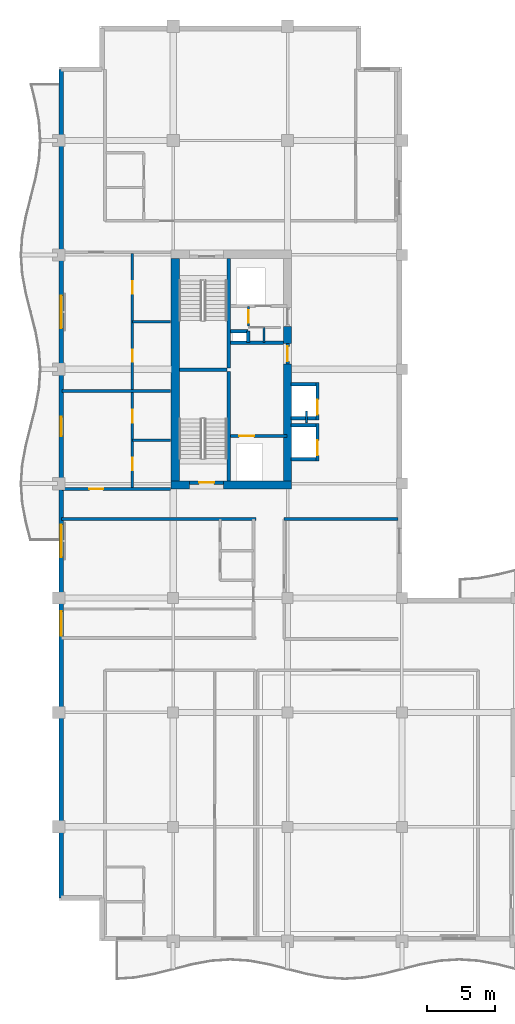
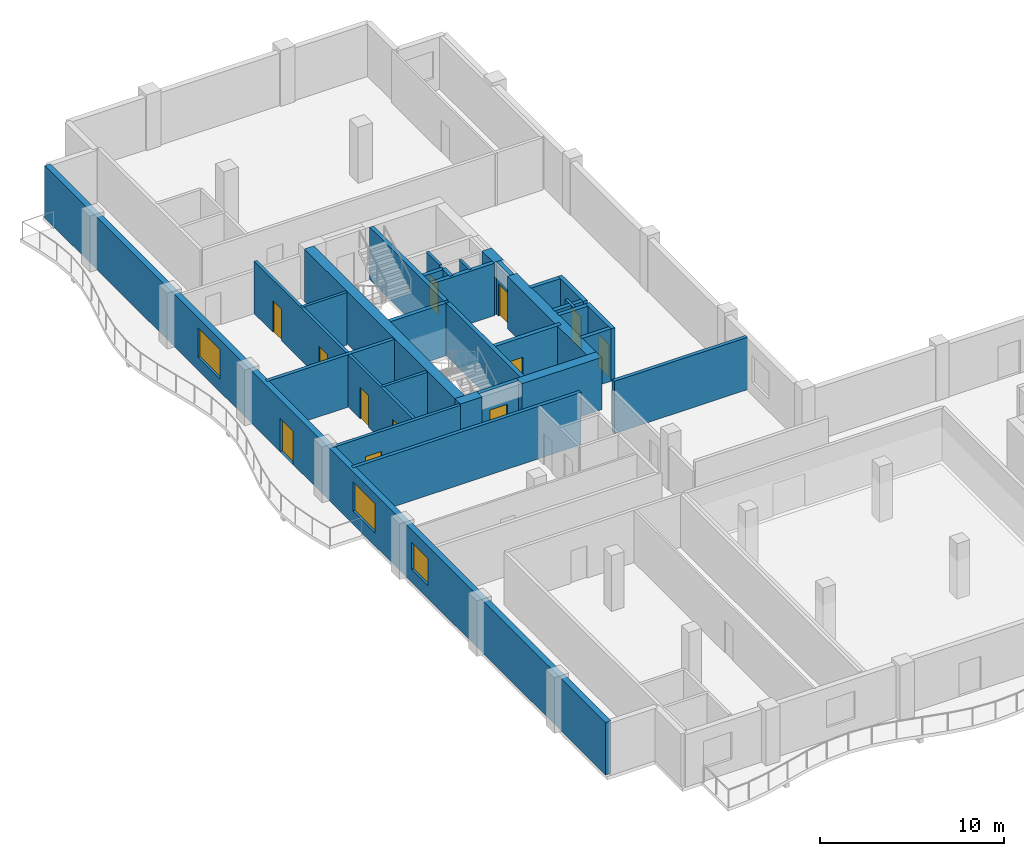
# One storey, part 9 of 16: 32 walls, 12 doors, 3 windows, 15 openings.
"""IFC4 building model written with IfcOpenShell, lengths in metres."""

from ifc_helpers import new_model, si_unit, direction, frame, frame_2d, origin, place, context, subcontext, project, spatial, rectangle, extrude, material, layer, layer_set, type_object, element, fill, save


model = new_model("IFC4")

# Units and contexts
model_context = context("Model", 3, precision=1e-05, world=origin(), true_north=direction((0.0, 1.0)))
body_context = subcontext(model_context, "Body", "Model", "MODEL_VIEW")
ifc_project = project(units=[si_unit("LENGTHUNIT", "METRE"), si_unit("AREAUNIT", "SQUARE_METRE"), si_unit("VOLUMEUNIT", "CUBIC_METRE"), si_unit("PLANEANGLEUNIT", "RADIAN"), si_unit("MASSUNIT", "GRAM", prefix="KILO")], contexts=[model_context])

# Site, building, storey
site_placement = place(None, origin())
site = spatial("IfcSite", under=ifc_project, at=site_placement, CompositionType="ELEMENT")
building_placement = place(site_placement, origin())
building = spatial("IfcBuilding", under=site, at=building_placement, Name="Koriwani Terraces Tower", CompositionType="ELEMENT")
storey_placement = place(building_placement, frame((0.0, 0.0, 274.89990234375)))
storey = spatial("IfcBuildingStorey", under=building, at=storey_placement, Name="L68", CompositionType="ELEMENT", Elevation=274.89990234375)

# Walls
ifc_material_1 = material(Name="Concrete C60/75", Category="concrete")
ifc_layer_1 = layer(ifc_material_1, 0.60009765625, Name="Concrete C60/75")
ifc_layer_set_1 = layer_set([ifc_layer_1], Name="Concrete C60/75")
wall_type_1 = type_object("IfcWallType", Name="WALL_CORE_RC_600", PredefinedType="SHEAR", material=ifc_layer_set_1)
wall_1_placement = place(storey_placement, frame((16.64990234375, 41.89990234375, 0.0), z_axis=(0.0, 0.0, 1.0), x_axis=(1.0, 0.0, 0.0)))
element("IfcWall", 1, at=wall_1_placement, inside=storey, type_object=wall_type_1, Name="L68 West Split Core Shear Wall S1", PredefinedType="SHEAR", context=body_context, shape_type="SweptSolid", body=[
    extrude(rectangle(XDim=1.35009765625, YDim=0.60009765625, at=frame_2d((0.675048828125, 0.0))), origin(), (0.0, 0.0, 1.0), 3.47021484375),
])
wall_2_placement = place(storey_placement, frame((20.5, 41.89990234375, 0.0), z_axis=(0.0, 0.0, 1.0), x_axis=(1.0, 0.0, 0.0)))
element("IfcWall", 2, at=wall_2_placement, inside=storey, type_object=wall_type_1, Name="L68 West Split Core Shear Wall S2", PredefinedType="SHEAR", context=body_context, shape_type="SweptSolid", body=[
    extrude(rectangle(XDim=5.0, YDim=0.60009765625, at=frame_2d((2.5, 0.0))), origin(), (0.0, 0.0, 1.0), 3.47021484375),
])
wall_3_placement = place(storey_placement, frame((16.949951171875, 42.199951171875, 0.0), z_axis=(0.0, 0.0, 1.0), x_axis=(0.0, 1.0, 0.0)))
element("IfcWall", 3, at=wall_3_placement, inside=storey, type_object=wall_type_1, Name="L68 West Split Core Shear Wall W1", PredefinedType="SHEAR", context=body_context, shape_type="SweptSolid", body=[
    extrude(rectangle(XDim=16.35009765625, YDim=0.60009765625, at=frame_2d((8.175048828125, 0.0))), origin(), (0.0, 0.0, 1.0), 3.47021484375),
])
wall_4_placement = place(storey_placement, frame((25.199951171875, 42.199951171875, 0.0), z_axis=(0.0, 0.0, 1.0), x_axis=(0.0, 1.0, 0.0)))
element("IfcWall", 4, at=wall_4_placement, inside=storey, type_object=wall_type_1, Name="L68 West Split Core Shear Wall E1", PredefinedType="SHEAR", context=body_context, shape_type="SweptSolid", body=[
    extrude(rectangle(XDim=8.60009765625, YDim=0.60009765625, at=frame_2d((4.300048828125, 0.0))), origin(), (0.0, 0.0, 1.0), 3.47021484375),
])
wall_5_placement = place(storey_placement, frame((25.199951171875, 52.280029296875, 0.0), z_axis=(0.0, 0.0, 1.0), x_axis=(0.0, 1.0, 0.0)))
element("IfcWall", 5, at=wall_5_placement, inside=storey, type_object=wall_type_1, Name="L68 West Split Core Shear Wall E2", PredefinedType="SHEAR", context=body_context, shape_type="SweptSolid", body=[
    extrude(rectangle(XDim=1.27001953125, YDim=0.60009765625, at=frame_2d((0.635009765625, 0.0))), origin(), (0.0, 0.0, 1.0), 3.47021484375),
])

# Wall, opening, door
ifc_material_2 = material(Name="Autoclaved Cellular Concrete Blockwork", Category="masonry")
ifc_layer_2 = layer(ifc_material_2, 0.199951171875, Name="Autoclaved Cellular Concrete Blockwork")
ifc_layer_set_2 = layer_set([ifc_layer_2], Name="Autoclaved Cellular Concrete Blockwork")
wall_type_2 = type_object("IfcWallType", Name="WALL_CORRIDOR_200", PredefinedType="PARTITIONING", material=ifc_layer_set_2)
wall_6_placement = place(storey_placement, frame((8.64990234375, 41.60009765625, 0.0), z_axis=(0.0, 0.0, 1.0), x_axis=(1.0, 0.0, 0.0)))
wall_6 = element("IfcWall", 6, at=wall_6_placement, inside=storey, type_object=wall_type_2, Name="L68 Interior Wall WRZ4-WS-L68", PredefinedType="PARTITIONING", context=body_context, shape_type="SweptSolid", body=[
    extrude(rectangle(XDim=7.9501953125, YDim=0.199951171875, at=frame_2d((3.97509765625, 0.0))), origin(), (0.0, 0.0, 1.0), 3.47021484375),
])
opening_1_placement = place(wall_6_placement, frame((2.0, 0.0, 0.0)))
opening_1 = element("IfcOpeningElement", 7, at=opening_1_placement, cuts=wall_6, Name="Opening D-05", PredefinedType="OPENING", context=body_context, shape_type="SweptSolid", body=[
    extrude(rectangle(XDim=1.0, YDim=2.14990234375, at=frame_2d((0.5, 1.074951171875))), frame((0.0, 0.10986328125, 0.0), z_axis=(0.0, -1.0, 0.0), x_axis=(1.0, 0.0, 0.0)), (0.0, 0.0, 1.0), 0.219970703125),
])
ifc_material_3 = material(Name="Architectural Oak Fire Door", Category="wood")
door_type_1 = type_object("IfcDoorType", Name="DOOR_SUITE_ENTRY_1000X2150", OperationType="NOTDEFINED", PredefinedType="DOOR", material=ifc_material_3)
door_1_placement = place(opening_1_placement, origin())
door_1 = element("IfcDoor", 8, at=door_1_placement, inside=storey, type_object=door_type_1, Name="Apartment 68RW1 Entrance Door", OperationType="SINGLE_SWING_LEFT", OverallHeight=2.14990234375, OverallWidth=1.0, PredefinedType="DOOR", context=body_context, shape_type="SweptSolid", body=[
    extrude(rectangle(XDim=1.0, YDim=2.14990234375, at=frame_2d((0.5, 1.074951171875))), frame((0.0, 0.02490234375, 0.0), z_axis=(0.0, -1.0, 0.0), x_axis=(1.0, 0.0, 0.0)), (0.0, 0.0, 1.0), 0.050048828125),
])
fill(opening_1, door_1)

# Walls
ifc_layer_3 = layer(ifc_material_2, 0.219970703125, Name="Autoclaved Cellular Concrete Blockwork")
ifc_layer_set_3 = layer_set([ifc_layer_3], Name="Autoclaved Cellular Concrete Blockwork")
wall_type_3 = type_object("IfcWallType", Name="WALL_DEMISING_220", PredefinedType="PARTITIONING", material=ifc_layer_set_3)
wall_7_placement = place(storey_placement, frame((24.949951171875, 39.39990234375, 0.0), z_axis=(0.0, 0.0, 1.0), x_axis=(1.0, 0.0, 0.0)))
element("IfcWall", 9, at=wall_7_placement, inside=storey, type_object=wall_type_3, Name="L68 Interior Wall WIC4WN-L68", PredefinedType="PARTITIONING", context=body_context, shape_type="SweptSolid", body=[
    extrude(rectangle(XDim=8.35009765625, YDim=0.219970703125, at=frame_2d((4.175048828125, 0.0))), origin(), (0.0, 0.0, 1.0), 3.47021484375),
])
wall_8_placement = place(storey_placement, frame((8.64990234375, 48.800048828125, 0.0), z_axis=(0.0, 0.0, 1.0), x_axis=(1.0, 0.0, 0.0)))
element("IfcWall", 10, at=wall_8_placement, inside=storey, type_object=wall_type_3, Name="L68 Interior Wall WRZ4-WM-L68", PredefinedType="PARTITIONING", context=body_context, shape_type="SweptSolid", body=[
    extrude(rectangle(XDim=7.9501953125, YDim=0.219970703125, at=frame_2d((3.97509765625, 0.0))), origin(), (0.0, 0.0, 1.0), 3.47021484375),
])
wall_9_placement = place(storey_placement, frame((8.60009765625, 39.39990234375, 0.0), z_axis=(0.0, 0.0, 1.0), x_axis=(1.0, 0.0, 0.0)))
element("IfcWall", 11, at=wall_9_placement, inside=storey, type_object=wall_type_3, Name="L68 Interior Wall WRDEME-L68-NE", PredefinedType="PARTITIONING", context=body_context, shape_type="SweptSolid", body=[
    extrude(rectangle(XDim=14.27978515625, YDim=0.219970703125, at=frame_2d((7.139892578125, 0.0))), origin(), (0.0, 0.0, 1.0), 3.47021484375),
])

# Wall, openings, door, windows
ifc_material_4 = material(Name="Concrete C50/60", Category="concrete")
ifc_layer_4 = layer(ifc_material_4, 0.35009765625, Name="Concrete C50/60")
ifc_layer_set_4 = layer_set([ifc_layer_4], Name="Concrete C50/60")
wall_type_4 = type_object("IfcWallType", Name="WALL_EXT_BRUTALIST_350", PredefinedType="STANDARD", material=ifc_layer_set_4)
wall_10_placement = place(storey_placement, frame((8.574951171875, 11.574951171875, 0.0), z_axis=(0.0, 0.0, 1.0), x_axis=(0.0, 1.0, 0.0)))
wall_10 = element("IfcWall", 12, at=wall_10_placement, inside=storey, type_object=wall_type_4, Name="L68 Fair-Faced Brutalist Exterior Wall (W)", PredefinedType="STANDARD", context=body_context, shape_type="SweptSolid", body=[
    extrude(rectangle(XDim=60.85009765625, YDim=0.35009765625, at=frame_2d((30.425048828125, 0.0))), origin(), (0.0, 0.0, 1.0), 3.47021484375),
])
opening_2_placement = place(wall_10_placement, frame((33.925048828125, 0.0, 0.0)))
opening_2 = element("IfcOpeningElement", 13, at=opening_2_placement, cuts=wall_10, Name="Opening D-09", PredefinedType="OPENING", context=body_context, shape_type="SweptSolid", body=[
    extrude(rectangle(XDim=1.39990234375, YDim=2.199951171875, at=frame_2d((0.699951171875, 1.10009765625))), frame((0.0, 0.18505859375, 0.0), z_axis=(0.0, -1.0, 0.0), x_axis=(1.0, 0.0, 0.0)), (0.0, 0.0, 1.0), 0.3701171875),
])
opening_3_placement = place(wall_10_placement, frame((25.02490234375, 0.0, 0.85009765625)))
opening_3 = element("IfcOpeningElement", 14, at=opening_3_placement, cuts=wall_10, Name="Opening W-03", PredefinedType="OPENING", context=body_context, shape_type="SweptSolid", body=[
    extrude(rectangle(XDim=2.39990234375, YDim=1.949951171875, at=frame_2d((1.199951171875, 0.97509765625))), frame((0.0, 0.18505859375, 0.0), z_axis=(0.0, -1.0, 0.0), x_axis=(1.0, 0.0, 0.0)), (0.0, 0.0, 1.0), 0.3701171875),
])
opening_4_placement = place(wall_10_placement, frame((41.824951171875, 0.0, 0.85009765625)))
opening_4 = element("IfcOpeningElement", 15, at=opening_4_placement, cuts=wall_10, Name="Opening W-03", PredefinedType="OPENING", context=body_context, shape_type="SweptSolid", body=[
    extrude(rectangle(XDim=2.39990234375, YDim=1.949951171875, at=frame_2d((1.199951171875, 0.97509765625))), frame((0.0, 0.18505859375, 0.0), z_axis=(0.0, -1.0, 0.0), x_axis=(1.0, 0.0, 0.0)), (0.0, 0.0, 1.0), 0.3701171875),
])
opening_5_placement = place(wall_10_placement, frame((19.25, 0.0, 0.85009765625)))
opening_5 = element("IfcOpeningElement", 16, at=opening_5_placement, cuts=wall_10, Name="Opening W-04", PredefinedType="OPENING", context=body_context, shape_type="SweptSolid", body=[
    extrude(rectangle(XDim=1.800048828125, YDim=1.800048828125, at=frame_2d((0.89990234375, 0.89990234375))), frame((0.0, 0.18505859375, 0.0), z_axis=(0.0, -1.0, 0.0), x_axis=(1.0, 0.0, 0.0)), (0.0, 0.0, 1.0), 0.3701171875),
])
ifc_material_5 = material(Name="Anodised Bronze Aluminium", Category="aluminium")
door_type_2 = type_object("IfcDoorType", Name="DOOR_BALCONY_GLAZED_1400X2200", OperationType="NOTDEFINED", PredefinedType="DOOR", material=ifc_material_5)
door_2_placement = place(opening_2_placement, origin())
door_2 = element("IfcDoor", 17, at=door_2_placement, inside=storey, type_object=door_type_2, Name="L68 West Balcony Glazed Door", OperationType="SINGLE_SWING_LEFT", OverallHeight=2.199951171875, OverallWidth=1.39990234375, PredefinedType="DOOR", context=body_context, shape_type="SweptSolid", body=[
    extrude(rectangle(XDim=1.39990234375, YDim=2.199951171875, at=frame_2d((0.699951171875, 1.10009765625))), frame((0.0, 0.02490234375, 0.0), z_axis=(0.0, -1.0, 0.0), x_axis=(1.0, 0.0, 0.0)), (0.0, 0.0, 1.0), 0.050048828125),
])
fill(opening_2, door_2)
ifc_material_6 = material(Name="Tempered Laminated Low-E Glass", Category="glass")
window_type_1 = type_object("IfcWindowType", Name="WIN_RES_BED_1800X1800", PartitioningType="DOUBLE_PANEL_VERTICAL", PredefinedType="WINDOW", material=ifc_material_6)
window_1_placement = place(opening_5_placement, origin())
window_1 = element("IfcWindow", 18, at=window_1_placement, inside=storey, type_object=window_type_1, Name="L68 Exterior Window (W-R38)", OverallHeight=1.800048828125, OverallWidth=1.800048828125, PartitioningType="SINGLE_PANEL", PredefinedType="WINDOW", context=body_context, shape_type="SweptSolid", body=[
    extrude(rectangle(XDim=1.800048828125, YDim=1.800048828125, at=frame_2d((0.89990234375, 0.89990234375))), frame((0.0, 0.030029296875, 0.0), z_axis=(0.0, -1.0, 0.0), x_axis=(1.0, 0.0, 0.0)), (0.0, 0.0, 1.0), 0.06005859375),
])
fill(opening_5, window_1)
window_type_2 = type_object("IfcWindowType", Name="WIN_RES_LIVING_2400X1950", PartitioningType="DOUBLE_PANEL_VERTICAL", PredefinedType="WINDOW", material=ifc_material_6)
window_2_placement = place(opening_3_placement, origin())
window_2 = element("IfcWindow", 19, at=window_2_placement, inside=storey, type_object=window_type_2, Name="L68 Exterior Window (W-9)", OverallHeight=1.949951171875, OverallWidth=2.39990234375, PartitioningType="SINGLE_PANEL", PredefinedType="WINDOW", context=body_context, shape_type="SweptSolid", body=[
    extrude(rectangle(XDim=2.39990234375, YDim=1.949951171875, at=frame_2d((1.199951171875, 0.97509765625))), frame((0.0, 0.030029296875, 0.0), z_axis=(0.0, -1.0, 0.0), x_axis=(1.0, 0.0, 0.0)), (0.0, 0.0, 1.0), 0.06005859375),
])
fill(opening_3, window_2)
window_3_placement = place(opening_4_placement, origin())
window_3 = element("IfcWindow", 20, at=window_3_placement, inside=storey, type_object=window_type_2, Name="L68 Exterior Window (W-15)", OverallHeight=1.949951171875, OverallWidth=2.39990234375, PartitioningType="SINGLE_PANEL", PredefinedType="WINDOW", context=body_context, shape_type="SweptSolid", body=[
    extrude(rectangle(XDim=2.39990234375, YDim=1.949951171875, at=frame_2d((1.199951171875, 0.97509765625))), frame((0.0, 0.030029296875, 0.0), z_axis=(0.0, -1.0, 0.0), x_axis=(1.0, 0.0, 0.0)), (0.0, 0.0, 1.0), 0.06005859375),
])
fill(opening_4, window_3)

# Wall, openings, doors
ifc_material_7 = material(Name="Fire-Rated Acoustic Gypsum Partition", Category="masonry")
ifc_layer_5 = layer(ifc_material_7, 0.179931640625, Name="Fire-Rated Acoustic Gypsum Partition")
ifc_layer_set_5 = layer_set([ifc_layer_5], Name="Fire-Rated Acoustic Gypsum Partition")
wall_type_5 = type_object("IfcWallType", Name="WALL_PLUMBING_180", PredefinedType="PLUMBINGWALL", material=ifc_layer_set_5)
wall_11_placement = place(storey_placement, frame((13.800048828125, 41.699951171875, 0.0), z_axis=(0.0, 0.0, 1.0), x_axis=(0.0, 1.0, 0.0)))
wall_11 = element("IfcWall", 21, at=wall_11_placement, inside=storey, type_object=wall_type_5, Name="L68 Interior Wall WRZ4-RW1-PB-L68", PredefinedType="PLUMBINGWALL", context=body_context, shape_type="SweptSolid", body=[
    extrude(rectangle(XDim=7.0, YDim=0.179931640625, at=frame_2d((3.5, 0.0))), origin(), (0.0, 0.0, 1.0), 3.47021484375),
])
opening_6_placement = place(wall_11_placement, frame((1.300048828125, 0.0, 0.0)))
opening_6 = element("IfcOpeningElement", 22, at=opening_6_placement, cuts=wall_11, Name="Opening D-07", PredefinedType="OPENING", context=body_context, shape_type="SweptSolid", body=[
    extrude(rectangle(XDim=0.89990234375, YDim=2.10009765625, at=frame_2d((0.449951171875, 1.050048828125))), frame((0.0, 0.10009765625, 0.0), z_axis=(0.0, -1.0, 0.0), x_axis=(1.0, 0.0, 0.0)), (0.0, 0.0, 1.0), 0.199951171875),
])
opening_7_placement = place(wall_11_placement, frame((4.7900390625, 0.0, 0.0)))
opening_7 = element("IfcOpeningElement", 23, at=opening_7_placement, cuts=wall_11, Name="Opening D-06", PredefinedType="OPENING", context=body_context, shape_type="SweptSolid", body=[
    extrude(rectangle(XDim=0.919921875, YDim=2.10009765625, at=frame_2d((0.4599609375, 1.050048828125))), frame((0.0, 0.10009765625, 0.0), z_axis=(0.0, -1.0, 0.0), x_axis=(1.0, 0.0, 0.0)), (0.0, 0.0, 1.0), 0.199951171875),
])
door_type_3 = type_object("IfcDoorType", Name="DOOR_BATH_INT_900X2100", OperationType="NOTDEFINED", PredefinedType="DOOR", material=ifc_material_3)
door_3_placement = place(opening_6_placement, origin())
door_3 = element("IfcDoor", 24, at=door_3_placement, inside=storey, type_object=door_type_3, Name="Apartment 68RW1 Bathroom Door", OperationType="SINGLE_SWING_LEFT", OverallHeight=2.10009765625, OverallWidth=0.89990234375, PredefinedType="DOOR", context=body_context, shape_type="SweptSolid", body=[
    extrude(rectangle(XDim=0.89990234375, YDim=2.10009765625, at=frame_2d((0.449951171875, 1.050048828125))), frame((0.0, 0.02490234375, 0.0), z_axis=(0.0, -1.0, 0.0), x_axis=(1.0, 0.0, 0.0)), (0.0, 0.0, 1.0), 0.050048828125),
])
fill(opening_6, door_3)
door_type_4 = type_object("IfcDoorType", Name="DOOR_ROOM_INT_920X2100", OperationType="NOTDEFINED", PredefinedType="DOOR", material=ifc_material_3)
door_4_placement = place(opening_7_placement, origin())
door_4 = element("IfcDoor", 25, at=door_4_placement, inside=storey, type_object=door_type_4, Name="Apartment 68RW1 Kitchen Door", OperationType="SINGLE_SWING_RIGHT", OverallHeight=2.10009765625, OverallWidth=0.919921875, PredefinedType="DOOR", context=body_context, shape_type="SweptSolid", body=[
    extrude(rectangle(XDim=0.919921875, YDim=2.10009765625, at=frame_2d((0.4599609375, 1.050048828125))), frame((0.0, 0.02490234375, 0.0), z_axis=(0.0, -1.0, 0.0), x_axis=(1.0, 0.0, 0.0)), (0.0, 0.0, 1.0), 0.050048828125),
])
fill(opening_7, door_4)

# Wall
wall_12_placement = place(storey_placement, frame((13.800048828125, 45.199951171875, 0.0), z_axis=(0.0, 0.0, 1.0), x_axis=(1.0, 0.0, 0.0)))
element("IfcWall", 26, at=wall_12_placement, inside=storey, type_object=wall_type_5, Name="L68 Interior Wall WRZ4-RW1-P2-L68", PredefinedType="PLUMBINGWALL", context=body_context, shape_type="SweptSolid", body=[
    extrude(rectangle(XDim=2.800048828125, YDim=0.179931640625, at=frame_2d((1.39990234375, 0.0))), origin(), (0.0, 0.0, 1.0), 3.47021484375),
])

# Wall, openings, doors
wall_13_placement = place(storey_placement, frame((13.800048828125, 48.89990234375, 0.0), z_axis=(0.0, 0.0, 1.0), x_axis=(0.0, 1.0, 0.0)))
wall_13 = element("IfcWall", 27, at=wall_13_placement, inside=storey, type_object=wall_type_5, Name="L68 Interior Wall WRZ4-RW2-PB-L68", PredefinedType="PLUMBINGWALL", context=body_context, shape_type="SweptSolid", body=[
    extrude(rectangle(XDim=10.0, YDim=0.179931640625, at=frame_2d((5.0, 0.0))), origin(), (0.0, 0.0, 1.0), 3.47021484375),
])
opening_8_placement = place(wall_13_placement, frame((2.050048828125, 0.0, 0.0)))
opening_8 = element("IfcOpeningElement", 28, at=opening_8_placement, cuts=wall_13, Name="Opening D-07", PredefinedType="OPENING", context=body_context, shape_type="SweptSolid", body=[
    extrude(rectangle(XDim=0.89990234375, YDim=2.10009765625, at=frame_2d((0.449951171875, 1.050048828125))), frame((0.0, 0.10009765625, 0.0), z_axis=(0.0, -1.0, 0.0), x_axis=(1.0, 0.0, 0.0)), (0.0, 0.0, 1.0), 0.199951171875),
])
opening_9_placement = place(wall_13_placement, frame((7.0400390625, 0.0, 0.0)))
opening_9 = element("IfcOpeningElement", 29, at=opening_9_placement, cuts=wall_13, Name="Opening D-06", PredefinedType="OPENING", context=body_context, shape_type="SweptSolid", body=[
    extrude(rectangle(XDim=0.919921875, YDim=2.10009765625, at=frame_2d((0.4599609375, 1.050048828125))), frame((0.0, 0.10009765625, 0.0), z_axis=(0.0, -1.0, 0.0), x_axis=(1.0, 0.0, 0.0)), (0.0, 0.0, 1.0), 0.199951171875),
])
door_5_placement = place(opening_8_placement, origin())
door_5 = element("IfcDoor", 30, at=door_5_placement, inside=storey, type_object=door_type_3, Name="Apartment 68RW2 Bathroom Door", OperationType="SINGLE_SWING_LEFT", OverallHeight=2.10009765625, OverallWidth=0.89990234375, PredefinedType="DOOR", context=body_context, shape_type="SweptSolid", body=[
    extrude(rectangle(XDim=0.89990234375, YDim=2.10009765625, at=frame_2d((0.449951171875, 1.050048828125))), frame((0.0, 0.02490234375, 0.0), z_axis=(0.0, -1.0, 0.0), x_axis=(1.0, 0.0, 0.0)), (0.0, 0.0, 1.0), 0.050048828125),
])
fill(opening_8, door_5)
door_6_placement = place(opening_9_placement, origin())
door_6 = element("IfcDoor", 31, at=door_6_placement, inside=storey, type_object=door_type_4, Name="Apartment 68RW2 Kitchen Door", OperationType="SINGLE_SWING_RIGHT", OverallHeight=2.10009765625, OverallWidth=0.919921875, PredefinedType="DOOR", context=body_context, shape_type="SweptSolid", body=[
    extrude(rectangle(XDim=0.919921875, YDim=2.10009765625, at=frame_2d((0.4599609375, 1.050048828125))), frame((0.0, 0.02490234375, 0.0), z_axis=(0.0, -1.0, 0.0), x_axis=(1.0, 0.0, 0.0)), (0.0, 0.0, 1.0), 0.050048828125),
])
fill(opening_9, door_6)

# Walls
wall_14_placement = place(storey_placement, frame((13.800048828125, 53.89990234375, 0.0), z_axis=(0.0, 0.0, 1.0), x_axis=(1.0, 0.0, 0.0)))
element("IfcWall", 32, at=wall_14_placement, inside=storey, type_object=wall_type_5, Name="L68 Interior Wall WRZ4-RW2-P2-L68", PredefinedType="PLUMBINGWALL", context=body_context, shape_type="SweptSolid", body=[
    extrude(rectangle(XDim=2.800048828125, YDim=0.179931640625, at=frame_2d((1.39990234375, 0.0))), origin(), (0.0, 0.0, 1.0), 3.47021484375),
])
ifc_material_8 = material(Name="Concrete C40/50", Category="concrete")
ifc_layer_6 = layer(ifc_material_8, 0.25, Name="Concrete C40/50")
ifc_layer_set_6 = layer_set([ifc_layer_6], Name="Concrete C40/50")
wall_type_6 = type_object("IfcWallType", Name="WALL_SHAFT_RATED_250", PredefinedType="SOLIDWALL", material=ifc_layer_set_6)
for number, where, z_axis, x_axis, name in (
    (33, (20.875, 42.199951171875, 0.0), (0.0, 0.0, 1.0), (0.0, 1.0, 0.0), "L68 West Split Core Web Wall MID1"),
    (34, (20.875, 50.5, 0.0), (0.0, 0.0, 1.0), (0.0, 1.0, 0.0), "L68 West Split Core Web Wall MID2"),
):
    element("IfcWall", number, at=place(storey_placement, frame(where, z_axis=z_axis, x_axis=x_axis)), inside=storey, type_object=wall_type_6, Name=name, PredefinedType="SOLIDWALL", context=body_context, shape_type="SweptSolid", body=[
        extrude(rectangle(XDim=8.050048828125, YDim=0.25, at=frame_2d((4.02490234375, 0.0))), origin(), (0.0, 0.0, 1.0), 3.47021484375),
    ])
wall_15_placement = place(storey_placement, frame((17.25, 50.375, 0.0), z_axis=(0.0, 0.0, 1.0), x_axis=(1.0, 0.0, 0.0)))
element("IfcWall", 35, at=wall_15_placement, inside=storey, type_object=wall_type_6, Name="L68 West Split Core Stair Dividing Wall", PredefinedType="SOLIDWALL", context=body_context, shape_type="SweptSolid", body=[
    extrude(rectangle(XDim=3.5, YDim=0.25, at=frame_2d((1.75, 0.0))), origin(), (0.0, 0.0, 1.0), 3.47021484375),
])

# Wall, opening, door
wall_16_placement = place(storey_placement, frame((18.0, 42.074951171875, 0.0), z_axis=(0.0, 0.0, 1.0), x_axis=(1.0, 0.0, 0.0)))
wall_16 = element("IfcWall", 36, at=wall_16_placement, inside=storey, type_object=wall_type_6, Name="L68 Interior Wall WIN-CW-L68-STS", PredefinedType="SOLIDWALL", context=body_context, shape_type="SweptSolid", body=[
    extrude(rectangle(XDim=2.5, YDim=0.25, at=frame_2d((1.25, 0.0))), origin(), (0.0, 0.0, 1.0), 3.47021484375),
])
opening_10_placement = place(wall_16_placement, frame((0.699951171875, 0.0, 0.0)))
opening_10 = element("IfcOpeningElement", 37, at=opening_10_placement, cuts=wall_16, Name="Opening D-03", PredefinedType="OPENING", context=body_context, shape_type="SweptSolid", body=[
    extrude(rectangle(XDim=1.10009765625, YDim=2.14990234375, at=frame_2d((0.550048828125, 1.074951171875))), frame((0.0, 0.135009765625, 0.0), z_axis=(0.0, -1.0, 0.0), x_axis=(1.0, 0.0, 0.0)), (0.0, 0.0, 1.0), 0.27001953125),
])
ifc_material_9 = material(Name="Steel ASTM A572 Grade 50", Category="steel")
door_type_5 = type_object("IfcDoorType", Name="DOOR_STAIR_FIRE_1100X2150", OperationType="NOTDEFINED", PredefinedType="DOOR", material=ifc_material_9)
door_7_placement = place(opening_10_placement, origin())
door_7 = element("IfcDoor", 38, at=door_7_placement, inside=storey, type_object=door_type_5, Name="L68 Exit Stair ST-W1 Door", OperationType="SINGLE_SWING_RIGHT", OverallHeight=2.14990234375, OverallWidth=1.10009765625, PredefinedType="DOOR", context=body_context, shape_type="SweptSolid", body=[
    extrude(rectangle(XDim=1.10009765625, YDim=2.14990234375, at=frame_2d((0.550048828125, 1.074951171875))), frame((0.0, 0.02490234375, 0.0), z_axis=(0.0, -1.0, 0.0), x_axis=(1.0, 0.0, 0.0)), (0.0, 0.0, 1.0), 0.050048828125),
])
fill(opening_10, door_7)

wall_17_placement = place(storey_placement, frame((21.0, 45.5, 0.0), z_axis=(0.0, 0.0, 1.0), x_axis=(1.0, 0.0, 0.0)))
wall_17 = element("IfcWall", 39, at=wall_17_placement, inside=storey, type_object=wall_type_6, Name="L68 Interior Wall WIN-CW-L68-FE", PredefinedType="SOLIDWALL", context=body_context, shape_type="SweptSolid", body=[
    extrude(rectangle(XDim=4.14990234375, YDim=0.25, at=frame_2d((2.074951171875, 0.0))), origin(), (0.0, 0.0, 1.0), 3.47021484375),
])
opening_11_placement = place(wall_17_placement, frame((0.64990234375, 0.0, 0.0)))
opening_11 = element("IfcOpeningElement", 40, at=opening_11_placement, cuts=wall_17, Name="Opening LD-01", PredefinedType="OPENING", context=body_context, shape_type="SweptSolid", body=[
    extrude(rectangle(XDim=1.10009765625, YDim=2.14990234375, at=frame_2d((0.550048828125, 1.074951171875))), frame((0.0, 0.135009765625, 0.0), z_axis=(0.0, -1.0, 0.0), x_axis=(1.0, 0.0, 0.0)), (0.0, 0.0, 1.0), 0.27001953125),
])
door_type_6 = type_object("IfcDoorType", Name="DOOR_LIFT_LANDING_1100X2200", OperationType="NOTDEFINED", PredefinedType="DOOR", material=ifc_material_9)
door_8_placement = place(opening_11_placement, origin())
door_8 = element("IfcDoor", 41, at=door_8_placement, inside=storey, type_object=door_type_6, Name="L68 Firefighting Lift FE-01 Landing Door", OperationType="SLIDING_TO_LEFT", OverallHeight=2.14990234375, OverallWidth=1.10009765625, PredefinedType="DOOR", context=body_context, shape_type="SweptSolid", body=[
    extrude(rectangle(XDim=1.10009765625, YDim=2.14990234375, at=frame_2d((0.550048828125, 1.074951171875))), frame((0.0, 0.02490234375, 0.0), z_axis=(0.0, -1.0, 0.0), x_axis=(1.0, 0.0, 0.0)), (0.0, 0.0, 1.0), 0.050048828125),
])
fill(opening_11, door_8)

wall_18_placement = place(storey_placement, frame((25.199951171875, 50.800048828125, 0.0), z_axis=(0.0, 0.0, 1.0), x_axis=(0.0, 1.0, 0.0)))
wall_18 = element("IfcWall", 42, at=wall_18_placement, inside=storey, type_object=wall_type_6, Name="L68 Interior Wall WIN-CW-L68-EP", PredefinedType="SOLIDWALL", context=body_context, shape_type="SweptSolid", body=[
    extrude(rectangle(XDim=1.47998046875, YDim=0.25, at=frame_2d((0.739990234375, 0.0))), origin(), (0.0, 0.0, 1.0), 3.47021484375),
])
opening_12_placement = place(wall_18_placement, frame((0.179931640625, 0.0, 0.0)))
opening_12 = element("IfcOpeningElement", 43, at=opening_12_placement, cuts=wall_18, Name="Opening D-03", PredefinedType="OPENING", context=body_context, shape_type="SweptSolid", body=[
    extrude(rectangle(XDim=1.10009765625, YDim=2.14990234375, at=frame_2d((0.550048828125, 1.074951171875))), frame((0.0, 0.135009765625, 0.0), z_axis=(0.0, -1.0, 0.0), x_axis=(1.0, 0.0, 0.0)), (0.0, 0.0, 1.0), 0.27001953125),
])
door_9_placement = place(opening_12_placement, origin())
door_9 = element("IfcDoor", 44, at=door_9_placement, inside=storey, type_object=door_type_5, Name="L68 West Firefighting Lobby Door", OperationType="SINGLE_SWING_RIGHT", OverallHeight=2.14990234375, OverallWidth=1.10009765625, PredefinedType="DOOR", context=body_context, shape_type="SweptSolid", body=[
    extrude(rectangle(XDim=1.10009765625, YDim=2.14990234375, at=frame_2d((0.550048828125, 1.074951171875))), frame((0.0, 0.02490234375, 0.0), z_axis=(0.0, -1.0, 0.0), x_axis=(1.0, 0.0, 0.0)), (0.0, 0.0, 1.0), 0.050048828125),
])
fill(opening_12, door_9)

# Walls
wall_19_placement = place(storey_placement, frame((21.0, 52.340087890625, 0.0), z_axis=(0.0, 0.0, 1.0), x_axis=(1.0, 0.0, 0.0)))
element("IfcWall", 45, at=wall_19_placement, inside=storey, type_object=wall_type_6, Name="L68 Interior Wall WIN-CW-L68-FFN", PredefinedType="SOLIDWALL", context=body_context, shape_type="SweptSolid", body=[
    extrude(rectangle(XDim=3.89990234375, YDim=0.25, at=frame_2d((1.949951171875, 0.0))), origin(), (0.0, 0.0, 1.0), 3.47021484375),
])
wall_20_placement = place(storey_placement, frame((21.0, 53.199951171875, 0.0), z_axis=(0.0, 0.0, 1.0), x_axis=(1.0, 0.0, 0.0)))
element("IfcWall", 46, at=wall_20_placement, inside=storey, type_object=wall_type_6, Name="L68 Interior Wall WIN-CW-L68-RS1", PredefinedType="SOLIDWALL", context=body_context, shape_type="SweptSolid", body=[
    extrude(rectangle(XDim=1.300048828125, YDim=0.25, at=frame_2d((0.64990234375, 0.0))), origin(), (0.0, 0.0, 1.0), 3.47021484375),
])
wall_21_placement = place(storey_placement, frame((22.300048828125, 52.360107421875, 0.0), z_axis=(0.0, 0.0, 1.0), x_axis=(0.0, 1.0, 0.0)))
element("IfcWall", 47, at=wall_21_placement, inside=storey, type_object=wall_type_6, Name="L68 Interior Wall WIN-CW-L68-RS2", PredefinedType="SOLIDWALL", context=body_context, shape_type="SweptSolid", body=[
    extrude(rectangle(XDim=0.83984375, YDim=0.25, at=frame_2d((0.419921875, 0.0))), origin(), (0.0, 0.0, 1.0), 3.47021484375),
])

# Wall, opening, door
wall_22_placement = place(storey_placement, frame((27.39990234375, 43.675048828125, 0.0), z_axis=(0.0, 0.0, 1.0), x_axis=(0.0, 1.0, 0.0)))
wall_22 = element("IfcWall", 48, at=wall_22_placement, inside=storey, type_object=wall_type_6, Name="L68 Interior Wall WIN-LF-PE-H1-L68-F", PredefinedType="SOLIDWALL", context=body_context, shape_type="SweptSolid", body=[
    extrude(rectangle(XDim=2.75, YDim=0.25, at=frame_2d((1.375, 0.0))), origin(), (0.0, 0.0, 1.0), 3.47021484375),
])
opening_13_placement = place(wall_22_placement, frame((0.39990234375, 0.0, 0.0)))
opening_13 = element("IfcOpeningElement", 49, at=opening_13_placement, cuts=wall_22, Name="Opening LD-01", PredefinedType="OPENING", context=body_context, shape_type="SweptSolid", body=[
    extrude(rectangle(XDim=1.10009765625, YDim=2.14990234375, at=frame_2d((0.550048828125, 1.074951171875))), frame((0.0, 0.135009765625, 0.0), z_axis=(0.0, -1.0, 0.0), x_axis=(1.0, 0.0, 0.0)), (0.0, 0.0, 1.0), 0.27001953125),
])
door_10_placement = place(opening_13_placement, origin())
door_10 = element("IfcDoor", 50, at=door_10_placement, inside=storey, type_object=door_type_6, Name="L68 Passenger Lift PE-H1 Landing Door", OperationType="SLIDING_TO_LEFT", OverallHeight=2.14990234375, OverallWidth=1.10009765625, PredefinedType="DOOR", context=body_context, shape_type="SweptSolid", body=[
    extrude(rectangle(XDim=1.10009765625, YDim=2.14990234375, at=frame_2d((0.550048828125, 1.074951171875))), frame((0.0, 0.02490234375, 0.0), z_axis=(0.0, -1.0, 0.0), x_axis=(1.0, 0.0, 0.0)), (0.0, 0.0, 1.0), 0.050048828125),
])
fill(opening_13, door_10)

# Walls
for number, where, z_axis, x_axis, name in (
    (51, (25.449951171875, 43.800048828125, 0.0), (0.0, 0.0, 1.0), (1.0, 0.0, 0.0), "L68 Interior Wall WIN-LF-PE-H1-L68-S"),
    (52, (25.449951171875, 46.300048828125, 0.0), (0.0, 0.0, 1.0), (1.0, 0.0, 0.0), "L68 Interior Wall WIN-LF-PE-H1-L68-N"),
):
    element("IfcWall", number, at=place(storey_placement, frame(where, z_axis=z_axis, x_axis=x_axis)), inside=storey, type_object=wall_type_6, Name=name, PredefinedType="SOLIDWALL", context=body_context, shape_type="SweptSolid", body=[
        extrude(rectangle(XDim=1.824951171875, YDim=0.25, at=frame_2d((0.91259765625, 0.0))), origin(), (0.0, 0.0, 1.0), 3.47021484375),
    ])

# Wall, opening, door
wall_23_placement = place(storey_placement, frame((27.39990234375, 46.675048828125, 0.0), z_axis=(0.0, 0.0, 1.0), x_axis=(0.0, 1.0, 0.0)))
wall_23 = element("IfcWall", 53, at=wall_23_placement, inside=storey, type_object=wall_type_6, Name="L68 Interior Wall WIN-LF-PE-H2-L68-F", PredefinedType="SOLIDWALL", context=body_context, shape_type="SweptSolid", body=[
    extrude(rectangle(XDim=2.75, YDim=0.25, at=frame_2d((1.375, 0.0))), origin(), (0.0, 0.0, 1.0), 3.47021484375),
])
opening_14_placement = place(wall_23_placement, frame((0.39990234375, 0.0, 0.0)))
opening_14 = element("IfcOpeningElement", 54, at=opening_14_placement, cuts=wall_23, Name="Opening LD-01", PredefinedType="OPENING", context=body_context, shape_type="SweptSolid", body=[
    extrude(rectangle(XDim=1.10009765625, YDim=2.14990234375, at=frame_2d((0.550048828125, 1.074951171875))), frame((0.0, 0.135009765625, 0.0), z_axis=(0.0, -1.0, 0.0), x_axis=(1.0, 0.0, 0.0)), (0.0, 0.0, 1.0), 0.27001953125),
])
door_11_placement = place(opening_14_placement, origin())
door_11 = element("IfcDoor", 55, at=door_11_placement, inside=storey, type_object=door_type_6, Name="L68 Passenger Lift PE-H2 Landing Door", OperationType="SLIDING_TO_LEFT", OverallHeight=2.14990234375, OverallWidth=1.10009765625, PredefinedType="DOOR", context=body_context, shape_type="SweptSolid", body=[
    extrude(rectangle(XDim=1.10009765625, YDim=2.14990234375, at=frame_2d((0.550048828125, 1.074951171875))), frame((0.0, 0.02490234375, 0.0), z_axis=(0.0, -1.0, 0.0), x_axis=(1.0, 0.0, 0.0)), (0.0, 0.0, 1.0), 0.050048828125),
])
fill(opening_14, door_11)

# Walls
for number, where, z_axis, x_axis, name in (
    (56, (25.449951171875, 46.800048828125, 0.0), (0.0, 0.0, 1.0), (1.0, 0.0, 0.0), "L68 Interior Wall WIN-LF-PE-H2-L68-S"),
    (57, (25.449951171875, 49.300048828125, 0.0), (0.0, 0.0, 1.0), (1.0, 0.0, 0.0), "L68 Interior Wall WIN-LF-PE-H2-L68-N"),
):
    element("IfcWall", number, at=place(storey_placement, frame(where, z_axis=z_axis, x_axis=x_axis)), inside=storey, type_object=wall_type_6, Name=name, PredefinedType="SOLIDWALL", context=body_context, shape_type="SweptSolid", body=[
        extrude(rectangle(XDim=1.824951171875, YDim=0.25, at=frame_2d((0.91259765625, 0.0))), origin(), (0.0, 0.0, 1.0), 3.47021484375),
    ])

# Wall, opening, door
ifc_layer_7 = layer(ifc_material_7, 0.159912109375, Name="Fire-Rated Acoustic Gypsum Partition")
ifc_layer_set_7 = layer_set([ifc_layer_7], Name="Fire-Rated Acoustic Gypsum Partition")
wall_type_7 = type_object("IfcWallType", Name="WALL_SUITE_160", PredefinedType="PARTITIONING", material=ifc_layer_set_7)
wall_24_placement = place(storey_placement, frame((22.320068359375, 53.56005859375, 0.0), z_axis=(0.0, 0.0, 1.0), x_axis=(0.0, 1.0, 0.0)))
wall_24 = element("IfcWall", 58, at=wall_24_placement, inside=storey, type_object=wall_type_7, Name="L68 Interior Wall WIN-CW-L68-SV2A", PredefinedType="PARTITIONING", context=body_context, shape_type="SweptSolid", body=[
    extrude(rectangle(XDim=1.43994140625, YDim=0.159912109375, at=frame_2d((0.719970703125, 0.0))), origin(), (0.0, 0.0, 1.0), 3.47021484375),
])
opening_15_placement = place(wall_24_placement, frame((0.260009765625, 0.0, 0.0)))
opening_15 = element("IfcOpeningElement", 59, at=opening_15_placement, cuts=wall_24, Name="Opening D-07", PredefinedType="OPENING", context=body_context, shape_type="SweptSolid", body=[
    extrude(rectangle(XDim=0.89990234375, YDim=2.10009765625, at=frame_2d((0.449951171875, 1.050048828125))), frame((0.0, 0.08984375, 0.0), z_axis=(0.0, -1.0, 0.0), x_axis=(1.0, 0.0, 0.0)), (0.0, 0.0, 1.0), 0.179931640625),
])
door_12_placement = place(opening_15_placement, origin())
door_12 = element("IfcDoor", 60, at=door_12_placement, inside=storey, type_object=door_type_3, Name="L68 West Meter Room Door", OperationType="SINGLE_SWING_RIGHT", OverallHeight=2.10009765625, OverallWidth=0.89990234375, PredefinedType="DOOR", context=body_context, shape_type="SweptSolid", body=[
    extrude(rectangle(XDim=0.89990234375, YDim=2.10009765625, at=frame_2d((0.449951171875, 1.050048828125))), frame((0.0, 0.02490234375, 0.0), z_axis=(0.0, -1.0, 0.0), x_axis=(1.0, 0.0, 0.0)), (0.0, 0.0, 1.0), 0.050048828125),
])
fill(opening_15, door_12)

# Walls
wall_25_placement = place(storey_placement, frame((23.47998046875, 52.360107421875, 0.0), z_axis=(0.0, 0.0, 1.0), x_axis=(0.0, 1.0, 0.0)))
element("IfcWall", 61, at=wall_25_placement, inside=storey, type_object=wall_type_7, Name="L68 Interior Wall WIN-CW-L68-SV2V", PredefinedType="PARTITIONING", context=body_context, shape_type="SweptSolid", body=[
    extrude(rectangle(XDim=1.099853515625, YDim=0.159912109375, at=frame_2d((0.5498046875, 0.0))), origin(), (0.0, 0.0, 1.0), 3.47021484375),
])
wall_26_placement = place(storey_placement, frame((26.60009765625, 46.4599609375, 0.0), z_axis=(0.0, 0.0, 1.0), x_axis=(0.0, 1.0, 0.0)))
element("IfcWall", 62, at=wall_26_placement, inside=storey, type_object=wall_type_7, Name="L68 Interior Wall WIN-LF-PEH12-MID-L68", PredefinedType="PARTITIONING", context=body_context, shape_type="SweptSolid", body=[
    extrude(rectangle(XDim=0.880126953125, YDim=0.159912109375, at=frame_2d((0.43994140625, 0.0))), origin(), (0.0, 0.0, 1.0), 3.47021484375),
])

save(model, "model.ifc")
